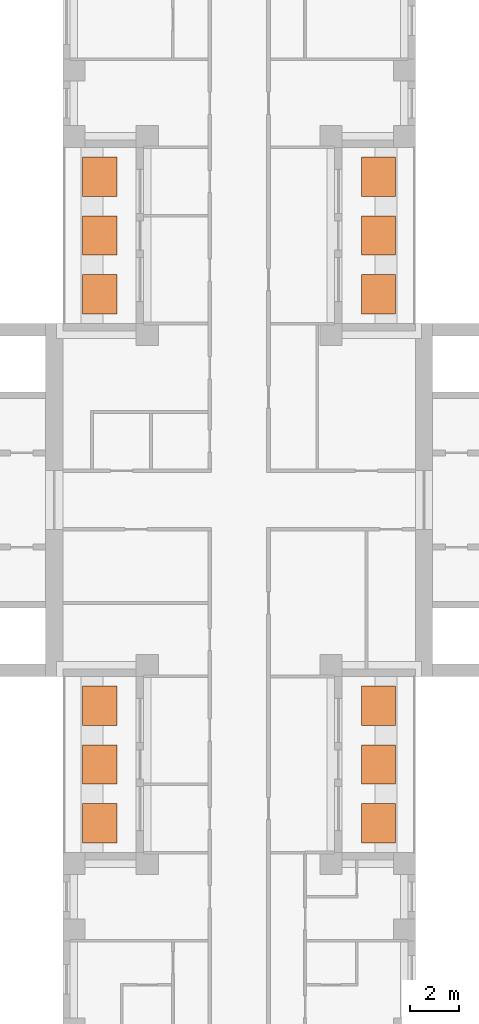
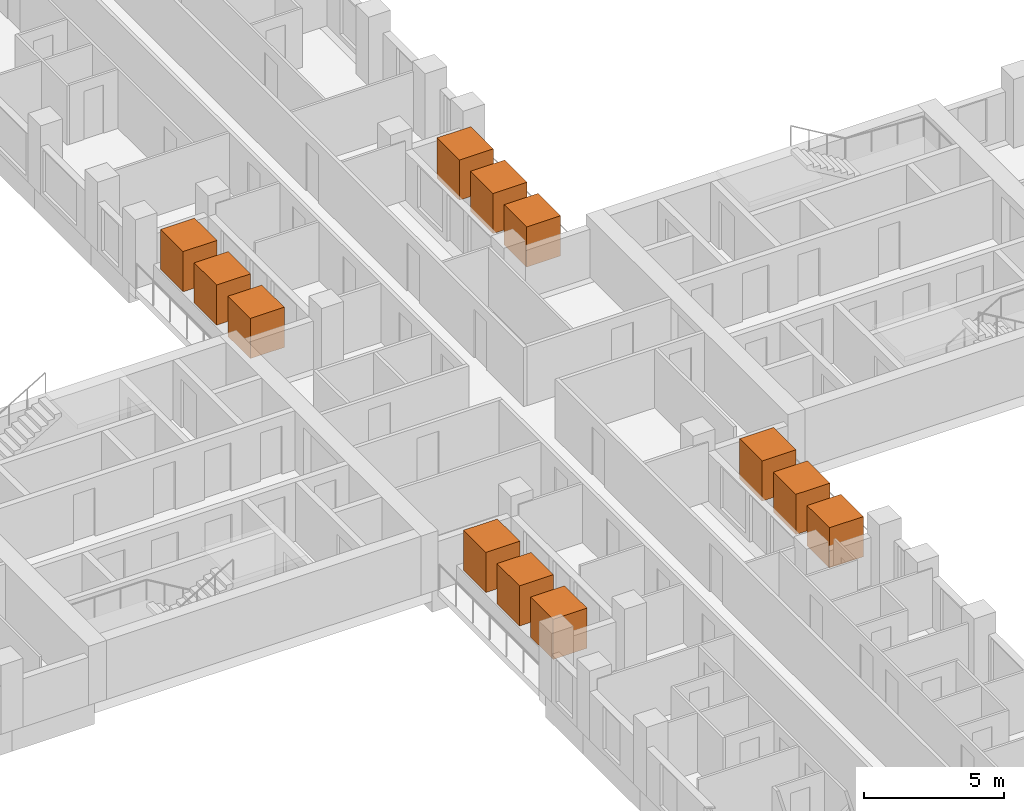
# One storey, part 16 of 16: 12 geographic elements.
"""IFC4 building model written with IfcOpenShell, lengths in metres."""

from ifc_helpers import new_model, si_unit, direction, frame, origin, origin_2d, place, context, subcontext, project, spatial, rectangle, extrude, material, element, save


model = new_model("IFC4")

# Units and contexts
model_context = context("Model", 3, precision=1e-05, world=origin(), true_north=direction((0.0, 1.0)))
body_context = subcontext(model_context, "Body", "Model", "MODEL_VIEW")
ifc_project = project(units=[si_unit("LENGTHUNIT", "METRE"), si_unit("AREAUNIT", "SQUARE_METRE"), si_unit("VOLUMEUNIT", "CUBIC_METRE"), si_unit("PLANEANGLEUNIT", "RADIAN"), si_unit("MASSUNIT", "GRAM", prefix="KILO")], contexts=[model_context])

# Site, building, storey
site_placement = place(None, origin())
site = spatial("IfcSite", under=ifc_project, at=site_placement, CompositionType="ELEMENT")
building_placement = place(site_placement, origin())
building = spatial("IfcBuilding", under=site, at=building_placement, Name="Fustian Cross Tower", CompositionType="ELEMENT")
storey_placement = place(building_placement, frame((0.0, 0.0, 26.699951171875)))
storey = spatial("IfcBuildingStorey", under=building, at=storey_placement, Name="L07", CompositionType="ELEMENT", Elevation=26.699951171875)

# Geographic elements
ifc_material = material(Name="Evergreen foliage")
for number, where, z_axis, x_axis, name in (
    (1, (5.68994140625, 8.39990234375, 0.800048828125), (0.0, 0.0, 1.0), (1.0, 0.0, 0.0), "TREE field maple"),
    (2, (5.68994140625, 10.800048828125, 0.800048828125), (0.0, 0.0, 1.0), (1.0, 0.0, 0.0), "TREE field maple"),
    (3, (5.68994140625, 13.199951171875, 0.800048828125), (0.0, 0.0, 1.0), (1.0, 0.0, 0.0), "TREE field maple"),
    (4, (-5.68994140625, 8.39990234375, 0.800048828125), (0.0, 0.0, 1.0), (1.0, 0.0, 0.0), "TREE field maple"),
    (5, (-5.68994140625, 10.800048828125, 0.800048828125), (0.0, 0.0, 1.0), (1.0, 0.0, 0.0), "TREE field maple"),
    (6, (-5.68994140625, 13.199951171875, 0.800048828125), (0.0, 0.0, 1.0), (1.0, 0.0, 0.0), "TREE field maple"),
    (7, (5.68994140625, -13.199951171875, 0.800048828125), (0.0, 0.0, 1.0), (1.0, 0.0, 0.0), "TREE field maple"),
    (8, (5.68994140625, -10.800048828125, 0.800048828125), (0.0, 0.0, 1.0), (1.0, 0.0, 0.0), "TREE field maple"),
    (9, (5.68994140625, -8.39990234375, 0.800048828125), (0.0, 0.0, 1.0), (1.0, 0.0, 0.0), "TREE field maple"),
    (10, (-5.68994140625, -13.199951171875, 0.800048828125), (0.0, 0.0, 1.0), (1.0, 0.0, 0.0), "TREE field maple"),
    (11, (-5.68994140625, -10.800048828125, 0.800048828125), (0.0, 0.0, 1.0), (1.0, 0.0, 0.0), "TREE field maple"),
    (12, (-5.68994140625, -8.39990234375, 0.800048828125), (0.0, 0.0, 1.0), (1.0, 0.0, 0.0), "TREE field maple"),
):
    element("IfcGeographicElement", number, at=place(storey_placement, frame(where, z_axis=z_axis, x_axis=x_axis)), inside=storey, material=ifc_material, Name=name, ObjectType="VEGETATION", PredefinedType="USERDEFINED", context=body_context, shape_type="SweptSolid", body=[
        extrude(rectangle(XDim=1.39990234375, YDim=1.60009765625, at=origin_2d()), origin(), (0.0, 0.0, 1.0), 1.75),
    ])

save(model, "model.ifc")
